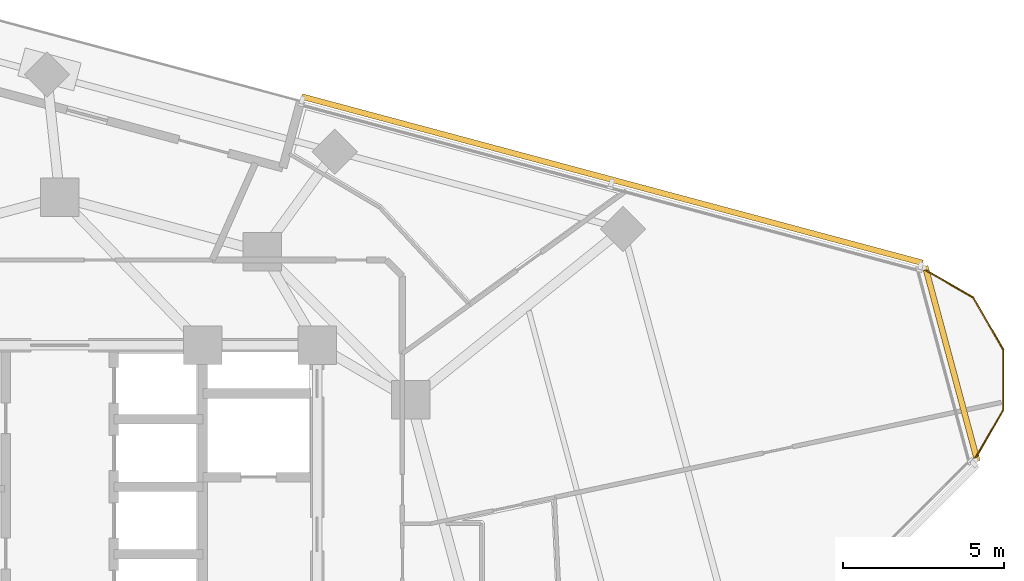
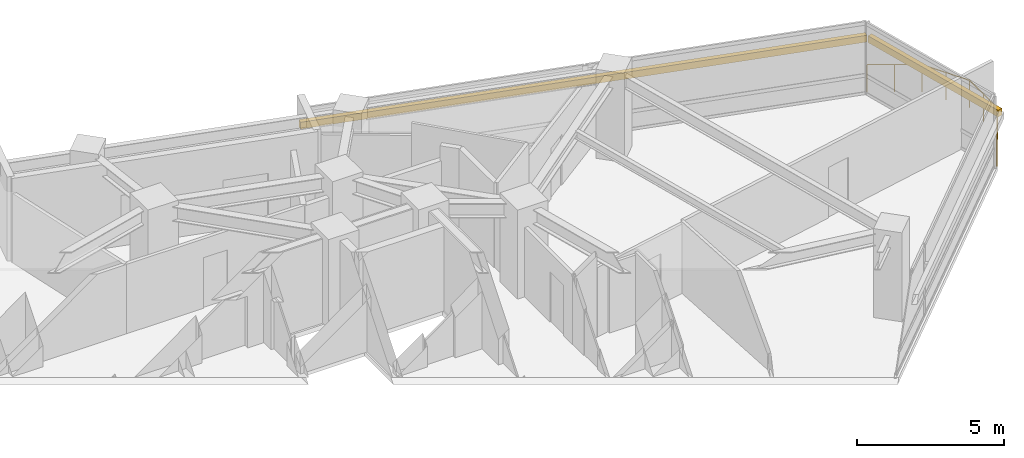
# One storey, part 14 of 14: 2 shading devices, 1 railing.
"""IFC4 building model written with IfcOpenShell, lengths in metres."""

from ifc_helpers import new_model, si_unit, direction, frame, origin, origin_2d, place, context, subcontext, project, spatial, rectangle, circle, extrude, material, layer, layer_set, type_object, element, save


model = new_model("IFC4")

# Units and contexts
model_context = context("Model", 3, precision=1e-05, world=origin(), true_north=direction((0.0, 1.0)))
body_context = subcontext(model_context, "Body", "Model", "MODEL_VIEW")
ifc_project = project(units=[si_unit("LENGTHUNIT", "METRE"), si_unit("AREAUNIT", "SQUARE_METRE"), si_unit("VOLUMEUNIT", "CUBIC_METRE"), si_unit("PLANEANGLEUNIT", "RADIAN"), si_unit("MASSUNIT", "GRAM", prefix="KILO")], contexts=[model_context])

# Site, building, storey
site_placement = place(None, origin())
site = spatial("IfcSite", under=ifc_project, at=site_placement, CompositionType="ELEMENT")
building_placement = place(site_placement, origin())
building = spatial("IfcBuilding", under=site, at=building_placement, Name="Terralouvre Media Tower", CompositionType="ELEMENT")
storey_placement = place(building_placement, frame((0.0, 0.0, 191.60009765625)))
storey = spatial("IfcBuildingStorey", under=building, at=storey_placement, Name="L49", CompositionType="ELEMENT", Elevation=191.60009765625)

# Railing
ifc_material_1 = material(Name="Stainless steel 316 handrail and balustrade", Category="steel")
ifc_layer = layer(ifc_material_1, 0.06005859375, Name="Roof Edge Safety Guardrail GR-ROOF1")
ifc_layer_set = layer_set([ifc_layer], Name="Stainless steel 316 handrail and balustrade")
railing_type = type_object("IfcRailingType", Name="Roof Edge Safety Guardrail GR-ROOF1", PredefinedType="GUARDRAIL", material=ifc_layer_set)
railing_placement = place(storey_placement, frame((28.39892578125, 4.365478515625, 0.0)))
element("IfcRailing", 1, at=railing_placement, inside=storey, type_object=railing_type, Name="L49 Wind-Corner Perimeter Safety Guardrail C1", PredefinedType="GUARDRAIL", context=body_context, shape_type="SweptSolid", body=[
    extrude(circle(Radius=0.02099609375, at=origin_2d()), frame((0.0, 0.0, 1.12890625), z_axis=(0.500203770141, 0.86590772507, 0.0), x_axis=(-0.86590772507, 0.500203770141, 0.0)), (0.0, 0.0, 1.0), 1.873291015625),
    extrude(circle(Radius=0.02099609375, at=origin_2d()), frame((0.93701171875, 1.6220703125, 1.12890625), z_axis=(0.000130344107, 0.999999991505, 0.0), x_axis=(-0.999999991505, 0.000130344107, 0.0)), (0.0, 0.0, 1.0), 1.873046875),
    extrude(circle(Radius=0.02099609375, at=origin_2d()), frame((0.937255859375, 3.4951171875, 1.12890625), z_axis=(-0.500162491388, 0.86593156901, 0.0), x_axis=(-0.86593156901, -0.500162491388, 0.0)), (0.0, 0.0, 1.0), 1.873046875),
    extrude(circle(Radius=0.02099609375, at=origin_2d()), frame((0.00048828125, 5.116943359375, 1.12890625), z_axis=(-0.866142189219, 0.499797667116, 0.0), x_axis=(-0.499797667116, -0.866142189219, 0.0)), (0.0, 0.0, 1.0), 1.873291015625),
    extrude(circle(Radius=0.01904296875, at=origin_2d()), origin(), (0.0, 0.0, 1.0), 1.10791015625),
    extrude(circle(Radius=0.01904296875, at=origin_2d()), frame((0.468505859375, 0.81103515625, 0.0)), (0.0, 0.0, 1.0), 1.10791015625),
    extrude(circle(Radius=0.01904296875, at=origin_2d()), frame((0.93701171875, 1.6220703125, 0.0)), (0.0, 0.0, 1.0), 1.10791015625),
    extrude(circle(Radius=0.01904296875, at=origin_2d()), frame((0.93701171875, 2.55859375, 0.0)), (0.0, 0.0, 1.0), 1.10791015625),
    extrude(circle(Radius=0.01904296875, at=origin_2d()), frame((0.937255859375, 3.4951171875, 0.0)), (0.0, 0.0, 1.0), 1.10791015625),
    extrude(circle(Radius=0.01904296875, at=origin_2d()), frame((0.46875, 4.30615234375, 0.0)), (0.0, 0.0, 1.0), 1.10791015625),
    extrude(circle(Radius=0.01904296875, at=origin_2d()), frame((0.00048828125, 5.116943359375, 0.0)), (0.0, 0.0, 1.0), 1.10791015625),
    extrude(circle(Radius=0.01904296875, at=origin_2d()), frame((-0.810791015625, 5.5849609375, 0.0)), (0.0, 0.0, 1.0), 1.10791015625),
    extrude(circle(Radius=0.01904296875, at=origin_2d()), frame((-1.6220703125, 6.05322265625, 0.0)), (0.0, 0.0, 1.0), 1.10791015625),
])

# Shading devices
ifc_material_2 = material(Name="Extruded terracotta baguette sunshade louvres", Category="masonry")
shading_device_type = type_object("IfcShadingDeviceType", Name="Terracotta Baguette Sunshade Louvre Screen TB-LV1", PredefinedType="USERDEFINED", material=ifc_material_2)
shading_device_1_placement = place(storey_placement, frame((17.177490234375, 13.14501953125, 2.02392578125), z_axis=(0.0, 0.0, 1.0), x_axis=(-0.965925889535, 0.258818809065, 0.0)))
element("IfcShadingDevice", 2, at=shading_device_1_placement, inside=storey, type_object=shading_device_type, Name="CW-L49-F1L Terracotta Baguette Sunshade Louvre", ObjectType="BAGUETTE", PredefinedType="USERDEFINED", context=body_context, shape_type="SweptSolid", body=[
    extrude(rectangle(XDim=19.97998046875, YDim=0.179931640625, at=origin_2d()), origin(), (0.0, 0.0, 1.0), 0.280029296875),
])
shading_device_2_placement = place(storey_placement, frame((27.71826171875, 7.427001953125, 2.02392578125), z_axis=(0.0, 0.0, 1.0), x_axis=(-0.258818728144, 0.965925911218, 0.0)))
element("IfcShadingDevice", 3, at=shading_device_2_placement, inside=storey, type_object=shading_device_type, Name="CW-L49-C1 Terracotta Baguette Sunshade Louvre", ObjectType="BAGUETTE", PredefinedType="USERDEFINED", context=body_context, shape_type="SweptSolid", body=[
    extrude(rectangle(XDim=6.27001953125, YDim=0.179931640625, at=origin_2d()), origin(), (0.0, 0.0, 1.0), 0.280029296875),
])

save(model, "model.ifc")
